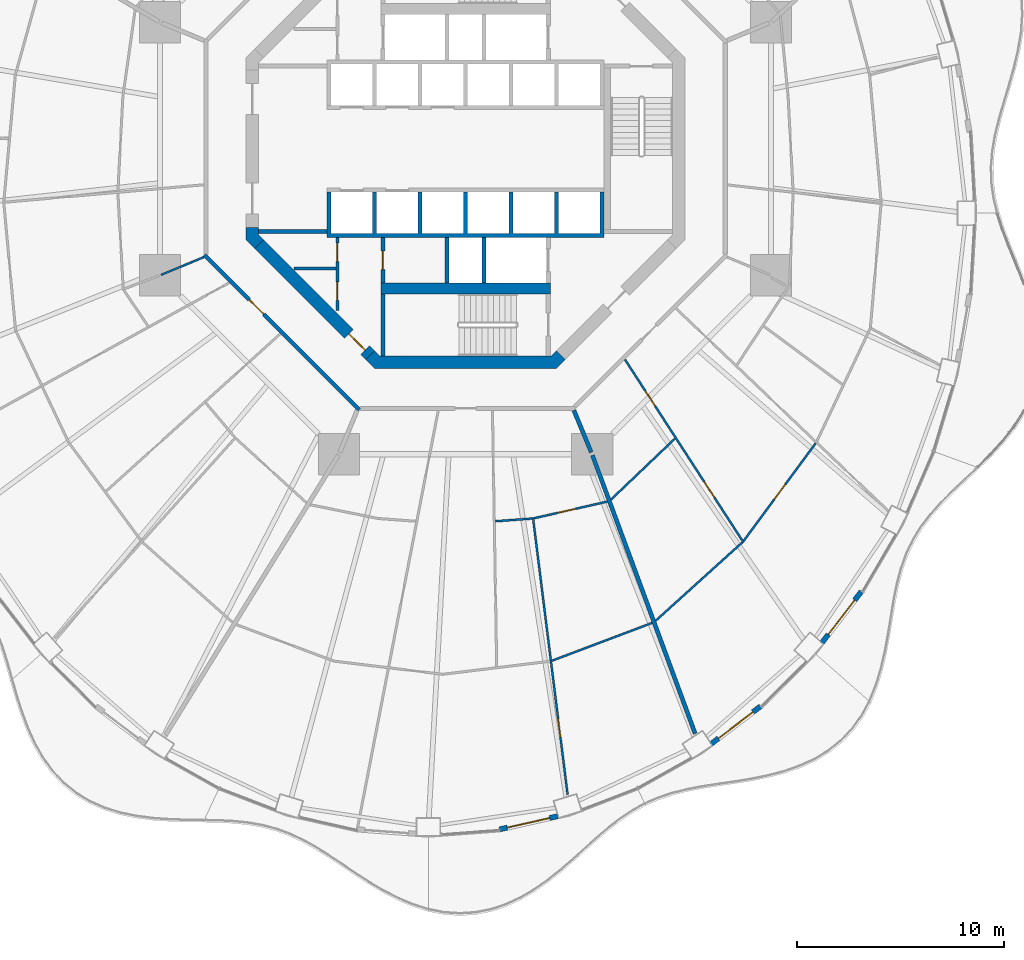
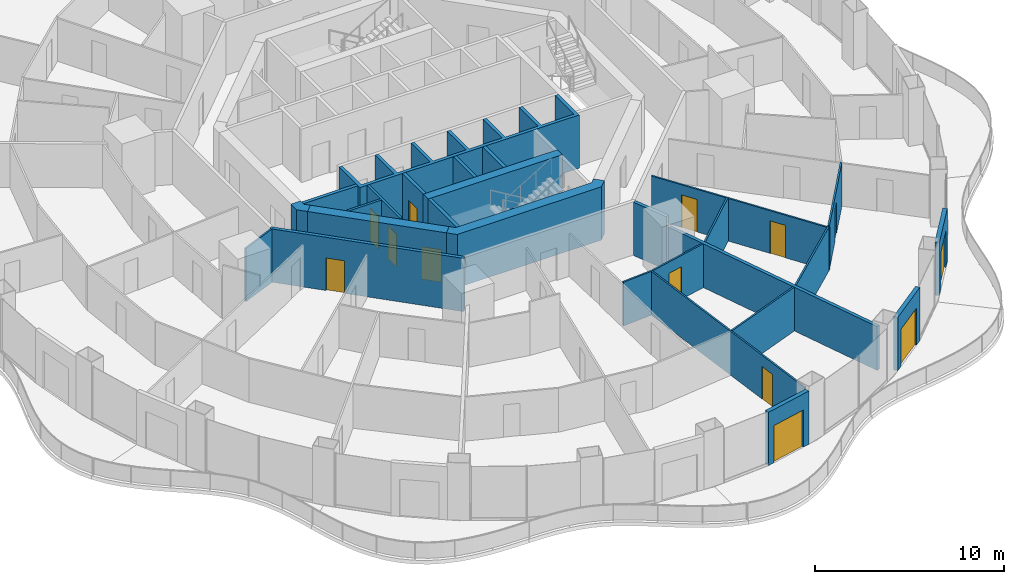
# One storey, part 14 of 21: 27 walls, 13 doors, 13 openings.
"""IFC4 building model written with IfcOpenShell, lengths in metres."""

from ifc_helpers import new_model, si_unit, direction, frame, frame_2d, origin, place, context, subcontext, project, spatial, polyline, rectangle, outline, extrude, material, layer, layer_set, type_object, element, fill, save


model = new_model("IFC4")

# Units and contexts
model_context = context("Model", 3, precision=1e-05, world=origin(), true_north=direction((0.0, 1.0)))
body_context = subcontext(model_context, "Body", "Model", "MODEL_VIEW")
ifc_project = project(units=[si_unit("LENGTHUNIT", "METRE"), si_unit("AREAUNIT", "SQUARE_METRE"), si_unit("VOLUMEUNIT", "CUBIC_METRE"), si_unit("PLANEANGLEUNIT", "RADIAN"), si_unit("MASSUNIT", "GRAM", prefix="KILO")], contexts=[model_context])

# Site, building, storey
site_placement = place(None, origin())
site = spatial("IfcSite", under=ifc_project, at=site_placement, CompositionType="ELEMENT")
building_placement = place(site_placement, origin())
building = spatial("IfcBuilding", under=site, at=building_placement, Name="Nagisa Residences", CompositionType="ELEMENT")
storey_placement = place(building_placement, frame((0.0, 0.0, 134.39990234375)))
storey = spatial("IfcBuildingStorey", under=building, at=storey_placement, Name="L33", CompositionType="ELEMENT", Elevation=134.39990234375)

# Walls
ifc_material_1 = material(Name="Gypsum board on steel studs", Category="steel")
ifc_layer_1 = layer(ifc_material_1, 0.199951171875)
ifc_layer_set_1 = layer_set([ifc_layer_1], Name="Apartment compartment wall EI60 200")
wall_type_1 = type_object("IfcWallType", Name="Apartment compartment wall EI60 200", PredefinedType="PARTITIONING", material=ifc_layer_set_1)
wall_1_placement = place(storey_placement, frame((5.24267578125, -12.6572265625, 0.0), z_axis=(0.0, 0.0, 1.0), x_axis=(0.38273085373, -0.923859888513, 0.0)))
element("IfcWall", 1, at=wall_1_placement, inside=storey, type_object=wall_type_1, Name="wall:L33:u08", PredefinedType="PARTITIONING", context=body_context, shape_type="SweptSolid", body=[
    extrude(rectangle(XDim=2.199462890625, YDim=0.199951171875, at=frame_2d((1.099609375, 0.0))), origin(), (0.0, 0.0, 1.0), 3.440185546875),
])
wall_2_placement = place(storey_placement, frame((6.14013671875, -14.8291015625, 0.0), z_axis=(0.0, 0.0, 1.0), x_axis=(0.346169582481, -0.938171956608, 0.0)))
element("IfcWall", 2, at=wall_2_placement, inside=storey, type_object=wall_type_1, Name="wall:L33:u09", PredefinedType="PARTITIONING", context=body_context, shape_type="SweptSolid", body=[
    extrude(rectangle(XDim=14.353515625, YDim=0.199951171875, at=frame_2d((7.1767578125, 0.0))), origin(), (0.0, 0.0, 1.0), 2.828125),
])

# Wall, opening, door
ifc_material_2 = material(Name="Gypsum board on steel studs", Category="steel")
ifc_layer_2 = layer(ifc_material_2, 0.199951171875)
ifc_layer_set_2 = layer_set([ifc_layer_2], Name="Apartment entry wall EI60 200")
wall_type_2 = type_object("IfcWallType", Name="Apartment entry wall EI60 200", PredefinedType="PARTITIONING", material=ifc_layer_set_2)
wall_3_placement = place(storey_placement, frame((-12.635498046875, -5.1337890625, 0.0), z_axis=(0.0, 0.0, 1.0), x_axis=(0.707106781187, -0.707106781187, 0.0)))
wall_3 = element("IfcWall", 3, at=wall_3_placement, inside=storey, type_object=wall_type_2, Name="wall:L33:u15", PredefinedType="PARTITIONING", context=body_context, shape_type="SweptSolid", body=[
    extrude(rectangle(XDim=10.609130859375, YDim=0.199951171875, at=frame_2d((5.3046875, 0.0))), origin(), (0.0, 0.0, 1.0), 3.440185546875),
])
opening_1_placement = place(wall_3_placement, frame((3.069580078125, 0.0, 0.0)))
opening_1 = element("IfcOpeningElement", 4, at=opening_1_placement, cuts=wall_3, Name="Opening L33-U09", PredefinedType="OPENING", context=body_context, shape_type="SweptSolid", body=[
    extrude(rectangle(XDim=1.0, YDim=2.10009765625, at=frame_2d((0.5, 1.050048828125))), frame((0.0, 0.10986328125, 0.0), z_axis=(0.0, -1.0, 0.0), x_axis=(1.0, 0.0, 0.0)), (0.0, 0.0, 1.0), 0.219970703125),
])
ifc_material_3 = material(Name="Timber fire door set", Category="wood")
door_type_1 = type_object("IfcDoorType", Name="Apartment entry door FD30S 1000x2100", OperationType="NOTDEFINED", PredefinedType="DOOR", material=ifc_material_3)
door_1_placement = place(opening_1_placement, frame((1.0, 0.0, 0.0), x_axis=(-1.0, 0.0, 0.0)))
door_1 = element("IfcDoor", 5, at=door_1_placement, inside=storey, type_object=door_type_1, Name="Entry door, Apartment 33B", OperationType="SINGLE_SWING_RIGHT", OverallHeight=2.10009765625, OverallWidth=1.0, PredefinedType="DOOR", context=body_context, shape_type="SweptSolid", body=[
    extrude(rectangle(XDim=1.0, YDim=2.10009765625, at=frame_2d((0.5, 1.050048828125))), frame((0.0, 0.02490234375, 0.0), z_axis=(0.0, -1.0, 0.0), x_axis=(1.0, 0.0, 0.0)), (0.0, 0.0, 1.0), 0.050048828125),
])
fill(opening_1, door_1)

# Walls
ifc_material_4 = material(Name="Gypsum board on steel studs", Category="steel")
ifc_layer_3 = layer(ifc_material_4, 0.10009765625)
ifc_layer_set_3 = layer_set([ifc_layer_3], Name="Apartment partition 100")
wall_type_3 = type_object("IfcWallType", Name="Apartment partition 100", PredefinedType="PARTITIONING", material=ifc_layer_set_3)
wall_4_placement = place(storey_placement, frame((-12.6572265625, -5.24267578125, 0.0), z_axis=(0.0, 0.0, 1.0), x_axis=(-0.923864733477, -0.382719158442, 0.0)))
element("IfcWall", 6, at=wall_4_placement, inside=storey, type_object=wall_type_3, Name="wall:L33:u59", PredefinedType="PARTITIONING", context=body_context, shape_type="SweptSolid", body=[
    extrude(rectangle(XDim=2.25, YDim=0.10009765625, at=frame_2d((1.125, 0.0))), origin(), (0.0, 0.0, 1.0), 3.440185546875),
])
wall_5_placement = place(storey_placement, frame((1.44091796875, -18.024169921875, 0.0), z_axis=(0.0, 0.0, 1.0), x_axis=(0.997269623256, 0.073846452388, 0.0)))
element("IfcWall", 7, at=wall_5_placement, inside=storey, type_object=wall_type_3, Name="wall:L33:u77", PredefinedType="PARTITIONING", context=body_context, shape_type="SweptSolid", body=[
    extrude(rectangle(XDim=1.781982421875, YDim=0.10009765625, at=frame_2d((0.89111328125, 0.0))), origin(), (0.0, 0.0, 1.0), 2.828125),
])

# Wall, opening, door
wall_6_placement = place(storey_placement, frame((3.26171875, -17.83935546875, 0.0), z_axis=(0.0, 0.0, 1.0), x_axis=(0.124074750982, -0.992272873845, 0.0)))
wall_6 = element("IfcWall", 8, at=wall_6_placement, inside=storey, type_object=wall_type_3, Name="wall:L33:u78", PredefinedType="PARTITIONING", context=body_context, shape_type="SweptSolid", body=[
    extrude(rectangle(XDim=13.51611328125, YDim=0.10009765625, at=frame_2d((6.758056640625, 0.0))), origin(), (0.0, 0.0, 1.0), 2.828125),
])
opening_2_placement = place(wall_6_placement, frame((9.810791015625, 0.0, 0.0)))
opening_2 = element("IfcOpeningElement", 9, at=opening_2_placement, cuts=wall_6, Name="Opening L33-U30", PredefinedType="OPENING", context=body_context, shape_type="SweptSolid", body=[
    extrude(rectangle(XDim=0.89990234375, YDim=2.10009765625, at=frame_2d((0.449951171875, 1.050048828125))), frame((0.0, 0.06005859375, 0.0), z_axis=(0.0, -1.0, 0.0), x_axis=(1.0, 0.0, 0.0)), (0.0, 0.0, 1.0), 0.1201171875),
])
ifc_material_5 = material(Name="Timber door set", Category="wood")
door_type_2 = type_object("IfcDoorType", Name="Apartment door 900x2100", OperationType="NOTDEFINED", PredefinedType="DOOR", material=ifc_material_5)
door_2_placement = place(opening_2_placement, origin())
door_2 = element("IfcDoor", 10, at=door_2_placement, inside=storey, type_object=door_type_2, Name="Door to master bedroom, Apartment 33C", OperationType="SINGLE_SWING_RIGHT", OverallHeight=2.10009765625, OverallWidth=0.89990234375, PredefinedType="DOOR", context=body_context, shape_type="SweptSolid", body=[
    extrude(rectangle(XDim=0.89990234375, YDim=2.10009765625, at=frame_2d((0.449951171875, 1.050048828125))), frame((0.0, 0.02490234375, 0.0), z_axis=(0.0, -1.0, 0.0), x_axis=(1.0, 0.0, 0.0)), (0.0, 0.0, 1.0), 0.050048828125),
])
fill(opening_2, door_2)

wall_7_placement = place(storey_placement, frame((3.316650390625, -17.8779296875, 0.0), z_axis=(0.0, 0.0, 1.0), x_axis=(0.975095905288, 0.221783623135, 0.0)))
wall_7 = element("IfcWall", 11, at=wall_7_placement, inside=storey, type_object=wall_type_3, Name="wall:L33:u79", PredefinedType="PARTITIONING", context=body_context, shape_type="SweptSolid", body=[
    extrude(rectangle(XDim=3.635986328125, YDim=0.10009765625, at=frame_2d((1.81787109375, 0.0))), origin(), (0.0, 0.0, 1.0), 2.828125),
])
opening_3_placement = place(wall_7_placement, frame((1.164306640625, 0.0, 0.0)))
opening_3 = element("IfcOpeningElement", 12, at=opening_3_placement, cuts=wall_7, Name="Opening L33-U27", PredefinedType="OPENING", context=body_context, shape_type="SweptSolid", body=[
    extrude(rectangle(XDim=0.89990234375, YDim=2.10009765625, at=frame_2d((0.449951171875, 1.050048828125))), frame((0.0, 0.06005859375, 0.0), z_axis=(0.0, -1.0, 0.0), x_axis=(1.0, 0.0, 0.0)), (0.0, 0.0, 1.0), 0.1201171875),
])
door_3_placement = place(opening_3_placement, frame((0.89990234375, 0.0, 0.0), x_axis=(-1.0, 0.0, 0.0)))
door_3 = element("IfcDoor", 13, at=door_3_placement, inside=storey, type_object=door_type_2, Name="Door to study, Apartment 33C", OperationType="SINGLE_SWING_RIGHT", OverallHeight=2.10009765625, OverallWidth=0.89990234375, PredefinedType="DOOR", context=body_context, shape_type="SweptSolid", body=[
    extrude(rectangle(XDim=0.89990234375, YDim=2.10009765625, at=frame_2d((0.449951171875, 1.050048828125))), frame((0.0, 0.02490234375, 0.0), z_axis=(0.0, -1.0, 0.0), x_axis=(1.0, 0.0, 0.0)), (0.0, 0.0, 1.0), 0.050048828125),
])
fill(opening_3, door_3)

# Walls
wall_8_placement = place(storey_placement, frame((4.177734375, -24.77294921875, 0.0), z_axis=(0.0, 0.0, 1.0), x_axis=(0.935583811437, 0.353104703702, 0.0)))
element("IfcWall", 14, at=wall_8_placement, inside=storey, type_object=wall_type_3, Name="wall:L33:u80", PredefinedType="PARTITIONING", context=body_context, shape_type="SweptSolid", body=[
    extrude(rectangle(XDim=5.18359375, YDim=0.10009765625, at=frame_2d((2.591796875, 0.0))), origin(), (0.0, 0.0, 1.0), 2.828125),
])
wall_9_placement = place(storey_placement, frame((7.031982421875, -16.98046875, 0.0), z_axis=(0.0, 0.0, 1.0), x_axis=(0.723709759148, 0.690104473622, 0.0)))
element("IfcWall", 15, at=wall_9_placement, inside=storey, type_object=wall_type_3, Name="wall:L33:u81", PredefinedType="PARTITIONING", context=body_context, shape_type="SweptSolid", body=[
    extrude(rectangle(XDim=4.286376953125, YDim=0.10009765625, at=frame_2d((2.14306640625, 0.0))), origin(), (0.0, 0.0, 1.0), 2.828125),
])
wall_10_placement = place(storey_placement, frame((9.195068359375, -22.84033203125, 0.0), z_axis=(0.0, 0.0, 1.0), x_axis=(0.741675855479, 0.670758470241, 0.0)))
element("IfcWall", 16, at=wall_10_placement, inside=storey, type_object=wall_type_3, Name="wall:L33:u82", PredefinedType="PARTITIONING", context=body_context, shape_type="SweptSolid", body=[
    extrude(rectangle(XDim=5.65625, YDim=0.10009765625, at=frame_2d((2.828125, 0.0))), origin(), (0.0, 0.0, 1.0), 2.828125),
])

# Wall, openings, doors
wall_11_placement = place(storey_placement, frame((7.71240234375, -10.1953125, 0.0), z_axis=(0.0, 0.0, 1.0), x_axis=(0.543868615753, -0.839170381269, 0.0)))
wall_11 = element("IfcWall", 17, at=wall_11_placement, inside=storey, type_object=wall_type_3, Name="wall:L33:u83", PredefinedType="PARTITIONING", context=body_context, shape_type="SweptSolid", body=[
    extrude(rectangle(XDim=10.5576171875, YDim=0.10009765625, at=frame_2d((5.27880859375, 0.0))), origin(), (0.0, 0.0, 1.0), 2.756103515625),
])
opening_4_placement = place(wall_11_placement, frame((1.809814453125, 0.0, 0.0)))
opening_4 = element("IfcOpeningElement", 18, at=opening_4_placement, cuts=wall_11, Name="Opening L33-U32", PredefinedType="OPENING", context=body_context, shape_type="SweptSolid", body=[
    extrude(rectangle(XDim=0.89990234375, YDim=2.10009765625, at=frame_2d((0.449951171875, 1.050048828125))), frame((0.0, 0.06005859375, 0.0), z_axis=(0.0, -1.0, 0.0), x_axis=(1.0, 0.0, 0.0)), (0.0, 0.0, 1.0), 0.1201171875),
])
opening_5_placement = place(wall_11_placement, frame((7.063720703125, 0.0, 0.0)))
opening_5 = element("IfcOpeningElement", 19, at=opening_5_placement, cuts=wall_11, Name="Opening L33-U34", PredefinedType="OPENING", context=body_context, shape_type="SweptSolid", body=[
    extrude(rectangle(XDim=0.89990234375, YDim=2.10009765625, at=frame_2d((0.449951171875, 1.050048828125))), frame((0.0, 0.06005859375, 0.0), z_axis=(0.0, -1.0, 0.0), x_axis=(1.0, 0.0, 0.0)), (0.0, 0.0, 1.0), 0.1201171875),
])
door_4_placement = place(opening_4_placement, frame((0.89990234375, 0.0, 0.0), x_axis=(-1.0, 0.0, 0.0)))
door_4 = element("IfcDoor", 20, at=door_4_placement, inside=storey, type_object=door_type_2, Name="Door to family bathroom, Apartment 33D", OperationType="SINGLE_SWING_LEFT", OverallHeight=2.10009765625, OverallWidth=0.89990234375, PredefinedType="DOOR", context=body_context, shape_type="SweptSolid", body=[
    extrude(rectangle(XDim=0.89990234375, YDim=2.10009765625, at=frame_2d((0.449951171875, 1.050048828125))), frame((0.0, 0.02490234375, 0.0), z_axis=(0.0, -1.0, 0.0), x_axis=(1.0, 0.0, 0.0)), (0.0, 0.0, 1.0), 0.050048828125),
])
fill(opening_4, door_4)
door_5_placement = place(opening_5_placement, frame((0.89990234375, 0.0, 0.0), x_axis=(-1.0, 0.0, 0.0)))
door_5 = element("IfcDoor", 21, at=door_5_placement, inside=storey, type_object=door_type_2, Name="Door to study, Apartment 33D", OperationType="SINGLE_SWING_LEFT", OverallHeight=2.10009765625, OverallWidth=0.89990234375, PredefinedType="DOOR", context=body_context, shape_type="SweptSolid", body=[
    extrude(rectangle(XDim=0.89990234375, YDim=2.10009765625, at=frame_2d((0.449951171875, 1.050048828125))), frame((0.0, 0.02490234375, 0.0), z_axis=(0.0, -1.0, 0.0), x_axis=(1.0, 0.0, 0.0)), (0.0, 0.0, 1.0), 0.050048828125),
])
fill(opening_5, door_5)

# Wall, opening, door
wall_12_placement = place(storey_placement, frame((13.456787109375, -18.97265625, 0.0), z_axis=(0.0, 0.0, 1.0), x_axis=(0.593532053206, 0.80481035146, 0.0)))
wall_12 = element("IfcWall", 22, at=wall_12_placement, inside=storey, type_object=wall_type_3, Name="wall:L33:u84", PredefinedType="PARTITIONING", context=body_context, shape_type="SweptSolid", body=[
    extrude(rectangle(XDim=5.8759765625, YDim=0.10009765625, at=frame_2d((2.93798828125, 0.0))), origin(), (0.0, 0.0, 1.0), 2.828125),
])
opening_6_placement = place(wall_12_placement, frame((2.48779296875, 0.0, 0.0)))
opening_6 = element("IfcOpeningElement", 23, at=opening_6_placement, cuts=wall_12, Name="Opening L33-U36", PredefinedType="OPENING", context=body_context, shape_type="SweptSolid", body=[
    extrude(rectangle(XDim=0.89990234375, YDim=2.10009765625, at=frame_2d((0.449951171875, 1.050048828125))), frame((0.0, 0.06005859375, 0.0), z_axis=(0.0, -1.0, 0.0), x_axis=(1.0, 0.0, 0.0)), (0.0, 0.0, 1.0), 0.1201171875),
])
door_6_placement = place(opening_6_placement, frame((0.89990234375, 0.0, 0.0), x_axis=(-1.0, 0.0, 0.0)))
door_6 = element("IfcDoor", 24, at=door_6_placement, inside=storey, type_object=door_type_2, Name="Door to family room, Apartment 33D", OperationType="SINGLE_SWING_LEFT", OverallHeight=2.10009765625, OverallWidth=0.89990234375, PredefinedType="DOOR", context=body_context, shape_type="SweptSolid", body=[
    extrude(rectangle(XDim=0.89990234375, YDim=2.10009765625, at=frame_2d((0.449951171875, 1.050048828125))), frame((0.0, 0.02490234375, 0.0), z_axis=(0.0, -1.0, 0.0), x_axis=(1.0, 0.0, 0.0)), (0.0, 0.0, 1.0), 0.050048828125),
])
fill(opening_6, door_6)

ifc_material_6 = material(Name="Precast concrete C40/50", Category="concrete")
ifc_layer_4 = layer(ifc_material_6, 0.25)
ifc_layer_set_4 = layer_set([ifc_layer_4], Name="BALCONY DOOR WALL 250")
wall_type_4 = type_object("IfcWallType", Name="BALCONY DOOR WALL 250", PredefinedType="SOLIDWALL", material=ifc_layer_set_4)
wall_13_placement = place(storey_placement, frame((4.455078125, -32.29443359375, 0.0), z_axis=(0.0, 0.0, 1.0), x_axis=(-0.975339035722, -0.220711951186, 0.0)))
wall_13 = element("IfcWall", 25, at=wall_13_placement, inside=storey, type_object=wall_type_4, Name="wall:L33:bay37", PredefinedType="SOLIDWALL", context=body_context, shape_type="SweptSolid", body=[
    extrude(rectangle(XDim=2.890380859375, YDim=0.25, at=frame_2d((1.4453125, 0.0))), origin(), (0.0, 0.0, 1.0), 3.440185546875),
])
opening_7_placement = place(wall_13_placement, frame((0.395263671875, 0.0, 0.0)))
opening_7 = element("IfcOpeningElement", 26, at=opening_7_placement, cuts=wall_13, Name="Opening BD-L33-13", PredefinedType="OPENING", context=body_context, shape_type="SweptSolid", body=[
    extrude(rectangle(XDim=2.10009765625, YDim=2.39990234375, at=frame_2d((1.050048828125, 1.199951171875))), frame((0.0, 0.135009765625, 0.0), z_axis=(0.0, -1.0, 0.0), x_axis=(1.0, 0.0, 0.0)), (0.0, 0.0, 1.0), 0.27001953125),
])
ifc_material_7 = material(Name="Aluminium and clear glass", Category="aluminium")
door_type_3 = type_object("IfcDoorType", Name="BALCONY SLIDING DOOR 2100x2400", OperationType="SLIDING_TO_LEFT", PredefinedType="DOOR", material=ifc_material_7)
door_7_placement = place(opening_7_placement, origin())
door_7 = element("IfcDoor", 27, at=door_7_placement, inside=storey, type_object=door_type_3, Name="door:L33:bay37", OperationType="SLIDING_TO_LEFT", OverallHeight=2.39990234375, OverallWidth=2.10009765625, PredefinedType="DOOR", context=body_context, shape_type="SweptSolid", body=[
    extrude(rectangle(XDim=2.10009765625, YDim=2.39990234375, at=frame_2d((1.050048828125, 1.199951171875))), frame((0.0, 0.02490234375, 0.0), z_axis=(0.0, -1.0, 0.0), x_axis=(1.0, 0.0, 0.0)), (0.0, 0.0, 1.0), 0.050048828125),
])
fill(opening_7, door_7)

wall_14_placement = place(storey_placement, frame((14.27783203125, -26.973388671875, 0.0), z_axis=(0.0, 0.0, 1.0), x_axis=(-0.796022231079, -0.605267385233, 0.0)))
wall_14 = element("IfcWall", 28, at=wall_14_placement, inside=storey, type_object=wall_type_4, Name="wall:L33:bay40", PredefinedType="SOLIDWALL", context=body_context, shape_type="SweptSolid", body=[
    extrude(rectangle(XDim=3.025634765625, YDim=0.25, at=frame_2d((1.5126953125, 0.0))), origin(), (0.0, 0.0, 1.0), 3.440185546875),
])
opening_8_placement = place(wall_14_placement, frame((0.462646484375, 0.0, 0.0)))
opening_8 = element("IfcOpeningElement", 29, at=opening_8_placement, cuts=wall_14, Name="Opening BD-L33-14", PredefinedType="OPENING", context=body_context, shape_type="SweptSolid", body=[
    extrude(rectangle(XDim=2.10009765625, YDim=2.39990234375, at=frame_2d((1.050048828125, 1.199951171875))), frame((0.0, 0.135009765625, 0.0), z_axis=(0.0, -1.0, 0.0), x_axis=(1.0, 0.0, 0.0)), (0.0, 0.0, 1.0), 0.27001953125),
])
door_8_placement = place(opening_8_placement, origin())
door_8 = element("IfcDoor", 30, at=door_8_placement, inside=storey, type_object=door_type_3, Name="door:L33:bay40", OperationType="SLIDING_TO_LEFT", OverallHeight=2.39990234375, OverallWidth=2.10009765625, PredefinedType="DOOR", context=body_context, shape_type="SweptSolid", body=[
    extrude(rectangle(XDim=2.10009765625, YDim=2.39990234375, at=frame_2d((1.050048828125, 1.199951171875))), frame((0.0, 0.02490234375, 0.0), z_axis=(0.0, -1.0, 0.0), x_axis=(1.0, 0.0, 0.0)), (0.0, 0.0, 1.0), 0.050048828125),
])
fill(opening_8, door_8)

wall_15_placement = place(storey_placement, frame((19.152587890625, -21.4228515625, 0.0), z_axis=(0.0, 0.0, 1.0), x_axis=(-0.610429847179, -0.792070326217, 0.0)))
wall_15 = element("IfcWall", 31, at=wall_15_placement, inside=storey, type_object=wall_type_4, Name="wall:L33:bay42", PredefinedType="SOLIDWALL", context=body_context, shape_type="SweptSolid", body=[
    extrude(rectangle(XDim=3.149169921875, YDim=0.25, at=frame_2d((1.57470703125, 0.0))), origin(), (0.0, 0.0, 1.0), 3.440185546875),
])
opening_9_placement = place(wall_15_placement, frame((0.524658203125, 0.0, 0.0)))
opening_9 = element("IfcOpeningElement", 32, at=opening_9_placement, cuts=wall_15, Name="Opening BD-L33-15", PredefinedType="OPENING", context=body_context, shape_type="SweptSolid", body=[
    extrude(rectangle(XDim=2.10009765625, YDim=2.39990234375, at=frame_2d((1.050048828125, 1.199951171875))), frame((0.0, 0.135009765625, 0.0), z_axis=(0.0, -1.0, 0.0), x_axis=(1.0, 0.0, 0.0)), (0.0, 0.0, 1.0), 0.27001953125),
])
door_9_placement = place(opening_9_placement, origin())
door_9 = element("IfcDoor", 33, at=door_9_placement, inside=storey, type_object=door_type_3, Name="door:L33:bay42", OperationType="SLIDING_TO_LEFT", OverallHeight=2.39990234375, OverallWidth=2.10009765625, PredefinedType="DOOR", context=body_context, shape_type="SweptSolid", body=[
    extrude(rectangle(XDim=2.10009765625, YDim=2.39990234375, at=frame_2d((1.050048828125, 1.199951171875))), frame((0.0, 0.02490234375, 0.0), z_axis=(0.0, -1.0, 0.0), x_axis=(1.0, 0.0, 0.0)), (0.0, 0.0, 1.0), 0.050048828125),
])
fill(opening_9, door_9)

# Wall, openings, doors
ifc_material_8 = material(Name="Gypsum board on steel studs", Category="steel")
ifc_layer_5 = layer(ifc_material_8, 0.14990234375)
ifc_layer_set_5 = layer_set([ifc_layer_5], Name="Core partition 150")
wall_type_5 = type_object("IfcWallType", Name="Core partition 150", PredefinedType="PARTITIONING", material=ifc_layer_set_5)
wall_16_placement = place(storey_placement, frame((-6.199951171875, -7.826904296875, 0.0), z_axis=(0.0, 0.0, 1.0), x_axis=(0.0, 1.0, 0.0)))
wall_16 = element("IfcWall", 34, at=wall_16_placement, inside=storey, type_object=wall_type_5, Name="wall:L33:SWp", PredefinedType="PARTITIONING", context=body_context, shape_type="SweptSolid", body=[
    extrude(rectangle(XDim=3.52685546875, YDim=0.14990234375, at=frame_2d((1.763427734375, 0.0))), origin(), (0.0, 0.0, 1.0), 3.440185546875),
])
opening_10_placement = place(wall_16_placement, frame((2.364501953125, 0.0, 0.0)))
opening_10 = element("IfcOpeningElement", 35, at=opening_10_placement, cuts=wall_16, Name="Opening L33-C14", PredefinedType="OPENING", context=body_context, shape_type="SweptSolid", body=[
    extrude(rectangle(XDim=0.89990234375, YDim=2.10009765625, at=frame_2d((0.449951171875, 1.050048828125))), frame((0.0, 0.0849609375, 0.0), z_axis=(0.0, -1.0, 0.0), x_axis=(1.0, 0.0, 0.0)), (0.0, 0.0, 1.0), 0.169921875),
])
opening_11_placement = place(wall_16_placement, frame((0.488525390625, 0.0, 0.0)))
opening_11 = element("IfcOpeningElement", 36, at=opening_11_placement, cuts=wall_16, Name="Opening L33-C15", PredefinedType="OPENING", context=body_context, shape_type="SweptSolid", body=[
    extrude(rectangle(XDim=0.89990234375, YDim=2.10009765625, at=frame_2d((0.449951171875, 1.050048828125))), frame((0.0, 0.0849609375, 0.0), z_axis=(0.0, -1.0, 0.0), x_axis=(1.0, 0.0, 0.0)), (0.0, 0.0, 1.0), 0.169921875),
])
ifc_material_9 = material(Name="Steel fire door", Category="steel")
door_type_4 = type_object("IfcDoorType", Name="Fire door EI30 900x2100 single swing", OperationType="NOTDEFINED", PredefinedType="DOOR", material=ifc_material_9)
door_10_placement = place(opening_10_placement, origin())
door_10 = element("IfcDoor", 37, at=door_10_placement, inside=storey, type_object=door_type_4, Name="Refuse room door L33", OperationType="SINGLE_SWING_LEFT", OverallHeight=2.10009765625, OverallWidth=0.89990234375, PredefinedType="DOOR", context=body_context, shape_type="SweptSolid", body=[
    extrude(rectangle(XDim=0.89990234375, YDim=2.10009765625, at=frame_2d((0.449951171875, 1.050048828125))), frame((0.0, 0.02490234375, 0.0), z_axis=(0.0, -1.0, 0.0), x_axis=(1.0, 0.0, 0.0)), (0.0, 0.0, 1.0), 0.050048828125),
])
fill(opening_10, door_10)
door_11_placement = place(opening_11_placement, origin())
door_11 = element("IfcDoor", 38, at=door_11_placement, inside=storey, type_object=door_type_4, Name="Hose reel room door L33", OperationType="SINGLE_SWING_LEFT", OverallHeight=2.10009765625, OverallWidth=0.89990234375, PredefinedType="DOOR", context=body_context, shape_type="SweptSolid", body=[
    extrude(rectangle(XDim=0.89990234375, YDim=2.10009765625, at=frame_2d((0.449951171875, 1.050048828125))), frame((0.0, 0.02490234375, 0.0), z_axis=(0.0, -1.0, 0.0), x_axis=(1.0, 0.0, 0.0)), (0.0, 0.0, 1.0), 0.050048828125),
])
fill(opening_11, door_11)

# Walls
wall_17_placement = place(storey_placement, frame((-8.301025390625, -5.800048828125, 0.0), z_axis=(0.0, 0.0, 1.0), x_axis=(1.0, 0.0, 0.0)))
element("IfcWall", 39, at=wall_17_placement, inside=storey, type_object=wall_type_5, Name="wall:L33:SWq", PredefinedType="PARTITIONING", context=body_context, shape_type="SweptSolid", body=[
    extrude(rectangle(XDim=2.026123046875, YDim=0.14990234375, at=frame_2d((1.01318359375, 0.0))), origin(), (0.0, 0.0, 1.0), 3.440185546875),
])
ifc_material_10 = material(Name="Gypsum board on steel studs", Category="steel")
ifc_layer_6 = layer(ifc_material_10, 0.199951171875)
ifc_layer_set_6 = layer_set([ifc_layer_6], Name="Core partition 200")
wall_type_6 = type_object("IfcWallType", Name="Core partition 200", PredefinedType="PARTITIONING", material=ifc_layer_set_6)
wall_18_placement = place(storey_placement, frame((-10.024658203125, -4.0, 0.0), z_axis=(0.0, 0.0, 1.0), x_axis=(1.0, 0.0, 0.0)))
element("IfcWall", 40, at=wall_18_placement, inside=storey, type_object=wall_type_6, Name="wall:L33:PSW", PredefinedType="PARTITIONING", context=body_context, shape_type="SweptSolid", body=[
    extrude(rectangle(XDim=3.32470703125, YDim=0.199951171875, at=frame_2d((1.662353515625, 0.0))), origin(), (0.0, 0.0, 1.0), 3.440185546875),
])

# Wall, opening, door
ifc_material_11 = material(Name="Concrete C60", Category="concrete")
ifc_layer_7 = layer(ifc_material_11, 0.60009765625)
ifc_layer_set_7 = layer_set([ifc_layer_7], Name="Core shear wall 600")
wall_type_7 = type_object("IfcWallType", Name="Core shear wall 600", PredefinedType="SHEAR", material=ifc_layer_set_7)
wall_19_placement = place(storey_placement, frame((-9.98828125, -4.613037109375, 0.0), z_axis=(0.0, 0.0, 1.0), x_axis=(0.707106781187, -0.707106781187, 0.0)))
wall_19 = element("IfcWall", 41, at=wall_19_placement, inside=storey, type_object=wall_type_7, Name="wall:L33:core:flat5", PredefinedType="SHEAR", context=body_context, shape_type="SweptSolid", body=[
    extrude(rectangle(XDim=7.601806640625, YDim=0.60009765625, at=frame_2d((3.80078125, 0.0))), origin(), (0.0, 0.0, 1.0), 3.440185546875),
])
opening_12_placement = place(wall_19_placement, frame((6.15087890625, 0.0, 0.0)))
opening_12 = element("IfcOpeningElement", 42, at=opening_12_placement, cuts=wall_19, Name="Opening L33-C22", PredefinedType="OPENING", context=body_context, shape_type="SweptSolid", body=[
    extrude(rectangle(XDim=1.10009765625, YDim=2.10009765625, at=frame_2d((0.550048828125, 1.050048828125))), frame((0.0, 0.31005859375, 0.0), z_axis=(0.0, -1.0, 0.0), x_axis=(1.0, 0.0, 0.0)), (0.0, 0.0, 1.0), 0.6201171875),
])
ifc_material_12 = material(Name="Steel fire door", Category="steel")
door_type_5 = type_object("IfcDoorType", Name="Fire door EI60 1100x2100 single swing", OperationType="NOTDEFINED", PredefinedType="DOOR", material=ifc_material_12)
door_12_placement = place(opening_12_placement, origin())
door_12 = element("IfcDoor", 43, at=door_12_placement, inside=storey, type_object=door_type_5, Name="Housekeeping lobby door L33", OperationType="SINGLE_SWING_LEFT", OverallHeight=2.10009765625, OverallWidth=1.10009765625, PredefinedType="DOOR", context=body_context, shape_type="SweptSolid", body=[
    extrude(rectangle(XDim=1.10009765625, YDim=2.10009765625, at=frame_2d((0.550048828125, 1.050048828125))), frame((0.0, 0.02490234375, 0.0), z_axis=(0.0, -1.0, 0.0), x_axis=(1.0, 0.0, 0.0)), (0.0, 0.0, 1.0), 0.050048828125),
])
fill(opening_12, door_12)

# Walls
wall_20_placement = place(storey_placement, origin())
element("IfcWall", 44, at=wall_20_placement, inside=storey, type_object=wall_type_7, Name="wall:L33:core:pier4", PredefinedType="SHEAR", context=body_context, shape_type="SweptSolid", body=[
    extrude(outline(polyline([(-10.62451171875, -3.80078125), (-10.024658203125, -3.80078125), (-10.024658203125, -4.15234375), (-9.776123046875, -4.40087890625), (-10.200439453125, -4.8251953125), (-10.62451171875, -4.40087890625), (-10.62451171875, -3.80078125)])), origin(), (0.0, 0.0, 1.0), 3.440185546875),
])
wall_21_placement = place(storey_placement, origin())
element("IfcWall", 45, at=wall_21_placement, inside=storey, type_object=wall_type_7, Name="wall:L33:core:flat6", PredefinedType="SHEAR", context=body_context, shape_type="SweptSolid", body=[
    extrude(outline(polyline([(-4.15234375, -10.024658203125), (4.15234375, -10.024658203125), (4.40087890625, -9.776123046875), (4.8251953125, -10.200439453125), (4.40087890625, -10.62451171875), (-4.40087890625, -10.62451171875), (-4.8251953125, -10.200439453125), (-4.40087890625, -9.776123046875), (-4.15234375, -10.024658203125)])), origin(), (0.0, 0.0, 1.0), 3.440185546875),
])

# Wall, opening, door
ifc_material_13 = material(Name="Concrete C60", Category="concrete")
ifc_layer_8 = layer(ifc_material_13, 0.199951171875)
ifc_layer_set_8 = layer_set([ifc_layer_8], Name="Lift shaft wall 200")
wall_type_8 = type_object("IfcWallType", Name="Lift shaft wall 200", PredefinedType="SOLIDWALL", material=ifc_layer_set_8)
wall_22_placement = place(storey_placement, frame((-4.0, -6.5, 0.0), z_axis=(0.0, 0.0, 1.0), x_axis=(0.0, 1.0, 0.0)))
wall_22 = element("IfcWall", 46, at=wall_22_placement, inside=storey, type_object=wall_type_8, Name="wall:L33:Sb4", PredefinedType="SOLIDWALL", context=body_context, shape_type="SweptSolid", body=[
    extrude(rectangle(XDim=2.199951171875, YDim=0.199951171875, at=frame_2d((1.10009765625, 0.0))), origin(), (0.0, 0.0, 1.0), 3.440185546875),
])
opening_13_placement = place(wall_22_placement, frame((0.64990234375, 0.0, 0.0)))
opening_13 = element("IfcOpeningElement", 47, at=opening_13_placement, cuts=wall_22, Name="Opening L33-C16", PredefinedType="OPENING", context=body_context, shape_type="SweptSolid", body=[
    extrude(rectangle(XDim=0.89990234375, YDim=2.10009765625, at=frame_2d((0.449951171875, 1.050048828125))), frame((0.0, 0.10986328125, 0.0), z_axis=(0.0, -1.0, 0.0), x_axis=(1.0, 0.0, 0.0)), (0.0, 0.0, 1.0), 0.219970703125),
])
door_13_placement = place(opening_13_placement, frame((0.89990234375, 0.0, 0.0), x_axis=(-1.0, 0.0, 0.0)))
door_13 = element("IfcDoor", 48, at=door_13_placement, inside=storey, type_object=door_type_4, Name="Refuse room door L33", OperationType="SINGLE_SWING_RIGHT", OverallHeight=2.10009765625, OverallWidth=0.89990234375, PredefinedType="DOOR", context=body_context, shape_type="SweptSolid", body=[
    extrude(rectangle(XDim=0.89990234375, YDim=2.10009765625, at=frame_2d((0.449951171875, 1.050048828125))), frame((0.0, 0.02490234375, 0.0), z_axis=(0.0, -1.0, 0.0), x_axis=(1.0, 0.0, 0.0)), (0.0, 0.0, 1.0), 0.050048828125),
])
fill(opening_13, door_13)

# Walls
for number, where, z_axis, x_axis, name in (
    (49, (-0.89990234375, -6.5, 0.0), (0.0, 0.0, 1.0), (0.0, 1.0, 0.0), "wall:L33:Sb1"),
    (50, (0.89990234375, -6.5, 0.0), (0.0, 0.0, 1.0), (0.0, 1.0, 0.0), "wall:L33:Sb2"),
):
    element("IfcWall", number, at=place(storey_placement, frame(where, z_axis=z_axis, x_axis=x_axis)), inside=storey, type_object=wall_type_8, Name=name, PredefinedType="SOLIDWALL", context=body_context, shape_type="SweptSolid", body=[
        extrude(rectangle(XDim=2.199951171875, YDim=0.199951171875, at=frame_2d((1.10009765625, 0.0))), origin(), (0.0, 0.0, 1.0), 3.440185546875),
    ])
wall_23_placement = place(storey_placement, origin())
element("IfcWall", 51, at=wall_23_placement, inside=storey, type_object=wall_type_8, Name="wall:L33:Sback", PredefinedType="SOLIDWALL", context=body_context, shape_type="SweptSolid", body=[
    extrude(outline(polyline([(-6.699951171875, -2.10009765625), (-6.5, -2.10009765625), (-6.5, -4.10009765625), (-4.5, -4.10009765625), (-4.5, -2.10009765625), (-4.300048828125, -2.10009765625), (-4.300048828125, -4.10009765625), (-2.300048828125, -4.10009765625), (-2.300048828125, -2.10009765625), (-2.10009765625, -2.10009765625), (-2.10009765625, -4.10009765625), (-0.10009765625, -4.10009765625), (-0.10009765625, -2.10009765625), (0.10009765625, -2.10009765625), (0.10009765625, -4.10009765625), (2.10009765625, -4.10009765625), (2.10009765625, -2.10009765625), (2.300048828125, -2.10009765625), (2.300048828125, -4.10009765625), (4.300048828125, -4.10009765625), (4.300048828125, -2.10009765625), (4.5, -2.10009765625), (4.5, -4.10009765625), (6.5, -4.10009765625), (6.5, -2.10009765625), (6.699951171875, -2.10009765625), (6.699951171875, -4.300048828125), (-6.699951171875, -4.300048828125), (-6.699951171875, -2.10009765625)])), origin(), (0.0, 0.0, 1.0), 3.440185546875),
])
ifc_material_14 = material(Name="Concrete C60", Category="concrete")
ifc_layer_9 = layer(ifc_material_14, 0.199951171875)
ifc_layer_set_9 = layer_set([ifc_layer_9], Name="Stair enclosure wall 200")
wall_type_9 = type_object("IfcWallType", Name="Stair enclosure wall 200", PredefinedType="SOLIDWALL", material=ifc_layer_set_9)
wall_24_placement = place(storey_placement, origin())
element("IfcWall", 52, at=wall_24_placement, inside=storey, type_object=wall_type_9, Name="wall:L33:SS_w", PredefinedType="SOLIDWALL", context=body_context, shape_type="SweptSolid", body=[
    extrude(outline(polyline([(-3.89990234375, -10.024658203125), (-4.10009765625, -10.024658203125), (-4.10009765625, -7.024658203125), (-3.89990234375, -7.024658203125), (-3.89990234375, -10.024658203125)])), origin(), (0.0, 0.0, 1.0), 3.440185546875),
])
wall_25_placement = place(storey_placement, origin())
element("IfcWall", 53, at=wall_25_placement, inside=storey, type_object=wall_type_9, Name="wall:L33:SS_n", PredefinedType="SOLIDWALL", context=body_context, shape_type="SweptSolid", body=[
    extrude(outline(polyline([(4.10009765625, -7.024658203125), (-4.10009765625, -7.024658203125), (-4.10009765625, -6.5), (4.10009765625, -6.5), (4.10009765625, -7.024658203125)])), origin(), (0.0, 0.0, 1.0), 3.440185546875),
])

save(model, "model.ifc")
